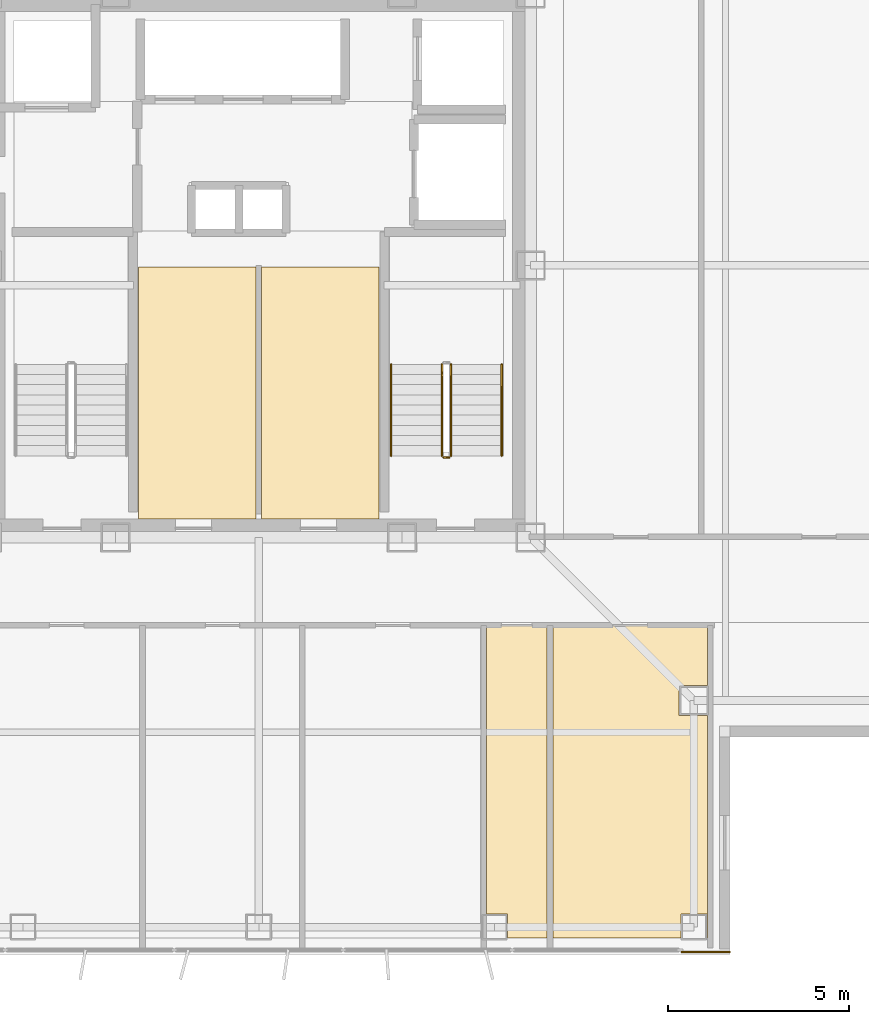
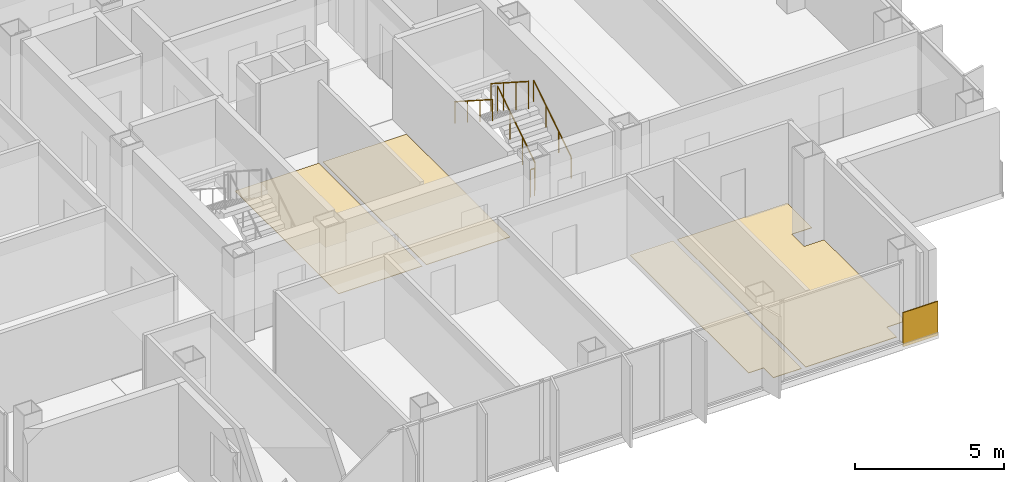
# One storey, part 11 of 15: 5 coverings, 5 railings.
"""IFC4 building model written with IfcOpenShell, lengths in metres."""

from ifc_helpers import new_model, si_unit, direction, frame, frame_2d, origin, origin_2d, place, context, subcontext, project, spatial, polyline, rectangle, circle, outline, extrude, material, layer, layer_set, type_object, element, save


model = new_model("IFC4")

# Units and contexts
model_context = context("Model", 3, precision=1e-05, world=origin(), true_north=direction((0.0, 1.0)))
body_context = subcontext(model_context, "Body", "Model", "MODEL_VIEW")
ifc_project = project(units=[si_unit("LENGTHUNIT", "METRE"), si_unit("AREAUNIT", "SQUARE_METRE"), si_unit("VOLUMEUNIT", "CUBIC_METRE"), si_unit("PLANEANGLEUNIT", "RADIAN"), si_unit("MASSUNIT", "GRAM", prefix="KILO")], contexts=[model_context])

# Site, building, storey
site_placement = place(None, origin())
site = spatial("IfcSite", under=ifc_project, at=site_placement, CompositionType="ELEMENT")
building_placement = place(site_placement, origin())
building = spatial("IfcBuilding", under=site, at=building_placement, Name="Trevonay Congress Spire", CompositionType="ELEMENT")
storey_placement = place(building_placement, frame((0.0, 0.0, 239.60009765625)))
storey = spatial("IfcBuildingStorey", under=building, at=storey_placement, Name="L62", CompositionType="ELEMENT", Elevation=239.60009765625)

# Coverings
ifc_material_1 = material(Name="Polished Granite Floor Tile", Category="masonry")
ifc_layer_1 = layer(ifc_material_1, 0.02001953125, Name="Polished Granite Floor Tile")
ifc_layer_set_1 = layer_set([ifc_layer_1], Name="Polished Granite Floor Tile")
covering_type_1 = type_object("IfcCoveringType", Name="COV-FLOOR-STONE", PredefinedType="FLOORING", material=ifc_layer_set_1)
covering_1_placement = place(storey_placement, origin())
element("IfcCovering", 1, at=covering_1_placement, inside=storey, type_object=covering_type_1, Name="L62 Core Server and IT Hub floor finish", PredefinedType="FLOORING", context=body_context, shape_type="SweptSolid", body=[
    extrude(outline(polyline([(-3.320068359375, -7.0), (-0.080078125, -7.0), (-0.080078125, -0.050048828125), (-3.320068359375, -0.050048828125), (-3.320068359375, -7.0)])), origin(), (0.0, 0.0, 1.0), 0.02001953125),
])
covering_2_placement = place(storey_placement, origin())
element("IfcCovering", 2, at=covering_2_placement, inside=storey, type_object=covering_type_1, Name="L62 Core Document Archive Room floor finish", PredefinedType="FLOORING", context=body_context, shape_type="SweptSolid", body=[
    extrude(outline(polyline([(0.080078125, -7.0), (3.320068359375, -7.0), (3.320068359375, -0.050048828125), (0.080078125, -0.050048828125), (0.080078125, -7.0)])), origin(), (0.0, 0.0, 1.0), 0.02001953125),
])
covering_3_placement = place(storey_placement, origin())
element("IfcCovering", 3, at=covering_3_placement, inside=storey, type_object=covering_type_1, Name="L62 Accessible WC floor finish", PredefinedType="FLOORING", context=body_context, shape_type="SweptSolid", body=[
    extrude(outline(polyline([(6.280029296875, -9.929931640625), (7.949951171875, -9.929931640625), (7.949951171875, -18.550048828125), (6.860107421875, -18.550048828125), (6.860107421875, -17.889892578125), (6.280029296875, -17.889892578125), (6.280029296875, -9.929931640625)])), origin(), (0.0, 0.0, 1.0), 0.02001953125),
])
covering_4_placement = place(storey_placement, origin())
element("IfcCovering", 4, at=covering_4_placement, inside=storey, type_object=covering_type_1, Name="L62 Floor Supplies and Copy Room floor finish", PredefinedType="FLOORING", context=body_context, shape_type="SweptSolid", body=[
    extrude(outline(polyline([(8.110107421875, -18.550048828125), (8.110107421875, -9.929931640625), (12.3701171875, -9.929931640625), (12.3701171875, -11.590087890625), (11.590087890625, -11.590087890625), (11.590087890625, -12.409912109375), (12.3701171875, -12.409912109375), (12.3701171875, -18.550048828125), (12.360107421875, -18.550048828125), (12.360107421875, -17.889892578125), (11.639892578125, -17.889892578125), (11.639892578125, -18.550048828125), (8.110107421875, -18.550048828125)])), origin(), (0.0, 0.0, 1.0), 0.02001953125),
])
ifc_material_2 = material(Name="Pale Anodised Aluminium EN AW-6063-T6", Category="aluminium")
ifc_layer_2 = layer(ifc_material_2, 0.0400390625, Name="Pale Anodised Aluminium EN AW-6063-T6")
ifc_layer_set_2 = layer_set([ifc_layer_2], Name="Pale Anodised Aluminium EN AW-6063-T6")
covering_type_2 = type_object("IfcCoveringType", Name="COV-SPANDREL-PALE-METAL", PredefinedType="CLADDING", material=ifc_layer_set_2)
covering_5_placement = place(storey_placement, frame((11.64990234375, -18.93994140625, -0.150146484375), z_axis=(0.0, 0.0, 1.0), x_axis=(1.0, 0.0, 0.0)))
element("IfcCovering", 5, at=covering_5_placement, inside=storey, type_object=covering_type_2, Name="L62 SE corner pier spandrel cladding 2", PredefinedType="CLADDING", context=body_context, shape_type="SweptSolid", body=[
    extrude(rectangle(XDim=1.35009765625, YDim=0.0400390625, at=frame_2d((0.675048828125, 0.0))), origin(), (0.0, 0.0, 1.0), 1.400146484375),
])

# Railings
railing_type_1 = type_object("IfcRailingType", Name="RAL-STAIR-GUARD-110", PredefinedType="GUARDRAIL", material=ifc_material_2)
railing_1_placement = place(storey_placement, frame((5.300048828125, -5.25, 0.179931640625)))
element("IfcRailing", 6, at=railing_1_placement, inside=storey, type_object=railing_type_1, Name="L62 ST-2 stair guard 1", PredefinedType="GUARDRAIL", context=body_context, shape_type="SweptSolid", body=[
    extrude(circle(Radius=0.02392578125, at=origin_2d()), frame((0.0, 0.0, 1.1259765625), z_axis=(0.0, 0.841199657755, 0.540724639528), x_axis=(-1.0, 0.0, 0.0)), (0.0, 0.0, 1.0), 2.995849609375),
    extrude(circle(Radius=0.02099609375, at=origin_2d()), origin(), (0.0, 0.0, 1.0), 1.101806640625),
    extrude(circle(Radius=0.02099609375, at=origin_2d()), frame((0.0, 0.840087890625, 0.5400390625)), (0.0, 0.0, 1.0), 1.101806640625),
    extrude(circle(Radius=0.02099609375, at=origin_2d()), frame((0.0, 1.679931640625, 1.079833984375)), (0.0, 0.0, 1.0), 1.101806640625),
    extrude(circle(Radius=0.02099609375, at=origin_2d()), frame((0.0, 2.52001953125, 1.619873046875)), (0.0, 0.0, 1.0), 1.101806640625),
])
railing_2_placement = place(storey_placement, frame((5.050048828125, -2.72998046875, 1.97998046875)))
element("IfcRailing", 7, at=railing_2_placement, inside=storey, type_object=railing_type_1, Name="L62 ST-2 stair guard 3", PredefinedType="GUARDRAIL", context=body_context, shape_type="SweptSolid", body=[
    extrude(circle(Radius=0.02392578125, at=origin_2d()), frame((0.0, 0.0, 1.1259765625), z_axis=(0.0, -0.841199657755, 0.540724639528), x_axis=(1.0, 0.0, 0.0)), (0.0, 0.0, 1.0), 2.995849609375),
    extrude(circle(Radius=0.02099609375, at=origin_2d()), origin(), (0.0, 0.0, 1.0), 1.101806640625),
    extrude(circle(Radius=0.02099609375, at=origin_2d()), frame((0.0, -0.840087890625, 0.5400390625)), (0.0, 0.0, 1.0), 1.101806640625),
    extrude(circle(Radius=0.02099609375, at=origin_2d()), frame((0.0, -1.679931640625, 1.079833984375)), (0.0, 0.0, 1.0), 1.101806640625),
    extrude(circle(Radius=0.02099609375, at=origin_2d()), frame((0.0, -2.52001953125, 1.619873046875)), (0.0, 0.0, 1.0), 1.101806640625),
])
railing_3_placement = place(storey_placement, frame((5.25, -5.300048828125, 0.0)))
element("IfcRailing", 8, at=railing_3_placement, inside=storey, type_object=railing_type_1, Name="L62 ST-2 stair guard 4", PredefinedType="GUARDRAIL", context=body_context, shape_type="SweptSolid", body=[
    extrude(circle(Radius=0.02392578125, at=origin_2d()), frame((0.0, 0.0, 1.1259765625), z_axis=(-1.0, 0.0, 0.0), x_axis=(0.0, -1.0, 0.0)), (0.0, 0.0, 1.0), 0.14990234375),
    extrude(circle(Radius=0.02099609375, at=origin_2d()), origin(), (0.0, 0.0, 1.0), 1.101806640625),
    extrude(circle(Radius=0.02099609375, at=origin_2d()), frame((-0.14990234375, 0.0, 0.0)), (0.0, 0.0, 1.0), 1.101806640625),
])
railing_type_2 = type_object("IfcRailingType", Name="RAL-STAIR-HANDRAIL", PredefinedType="HANDRAIL", material=ifc_material_2)
railing_4_placement = place(storey_placement, frame((6.699951171875, -5.25, 0.179931640625)))
element("IfcRailing", 9, at=railing_4_placement, inside=storey, type_object=railing_type_2, Name="L62 ST-2 stair handrail 1", PredefinedType="HANDRAIL", context=body_context, shape_type="SweptSolid", body=[
    extrude(circle(Radius=0.02392578125, at=origin_2d()), frame((0.0, 0.0, 0.8759765625), z_axis=(0.0, 0.841199657755, 0.540724639528), x_axis=(-1.0, 0.0, 0.0)), (0.0, 0.0, 1.0), 2.995849609375),
    extrude(circle(Radius=0.02099609375, at=origin_2d()), origin(), (0.0, 0.0, 1.0), 0.851806640625),
    extrude(circle(Radius=0.02099609375, at=origin_2d()), frame((0.0, 0.840087890625, 0.5400390625)), (0.0, 0.0, 1.0), 0.851806640625),
    extrude(circle(Radius=0.02099609375, at=origin_2d()), frame((0.0, 1.679931640625, 1.079833984375)), (0.0, 0.0, 1.0), 0.851806640625),
    extrude(circle(Radius=0.02099609375, at=origin_2d()), frame((0.0, 2.52001953125, 1.619873046875)), (0.0, 0.0, 1.0), 0.851806640625),
])
railing_5_placement = place(storey_placement, frame((3.64990234375, -2.72998046875, 1.97998046875)))
element("IfcRailing", 10, at=railing_5_placement, inside=storey, type_object=railing_type_2, Name="L62 ST-2 stair handrail 2", PredefinedType="HANDRAIL", context=body_context, shape_type="SweptSolid", body=[
    extrude(circle(Radius=0.02392578125, at=origin_2d()), frame((0.0, 0.0, 0.8759765625), z_axis=(0.0, -0.841199657755, 0.540724639528), x_axis=(1.0, 0.0, 0.0)), (0.0, 0.0, 1.0), 2.995849609375),
    extrude(circle(Radius=0.02099609375, at=origin_2d()), origin(), (0.0, 0.0, 1.0), 0.851806640625),
    extrude(circle(Radius=0.02099609375, at=origin_2d()), frame((0.0, -0.840087890625, 0.5400390625)), (0.0, 0.0, 1.0), 0.851806640625),
    extrude(circle(Radius=0.02099609375, at=origin_2d()), frame((0.0, -1.679931640625, 1.079833984375)), (0.0, 0.0, 1.0), 0.851806640625),
    extrude(circle(Radius=0.02099609375, at=origin_2d()), frame((0.0, -2.52001953125, 1.619873046875)), (0.0, 0.0, 1.0), 0.851806640625),
])

save(model, "model.ifc")
